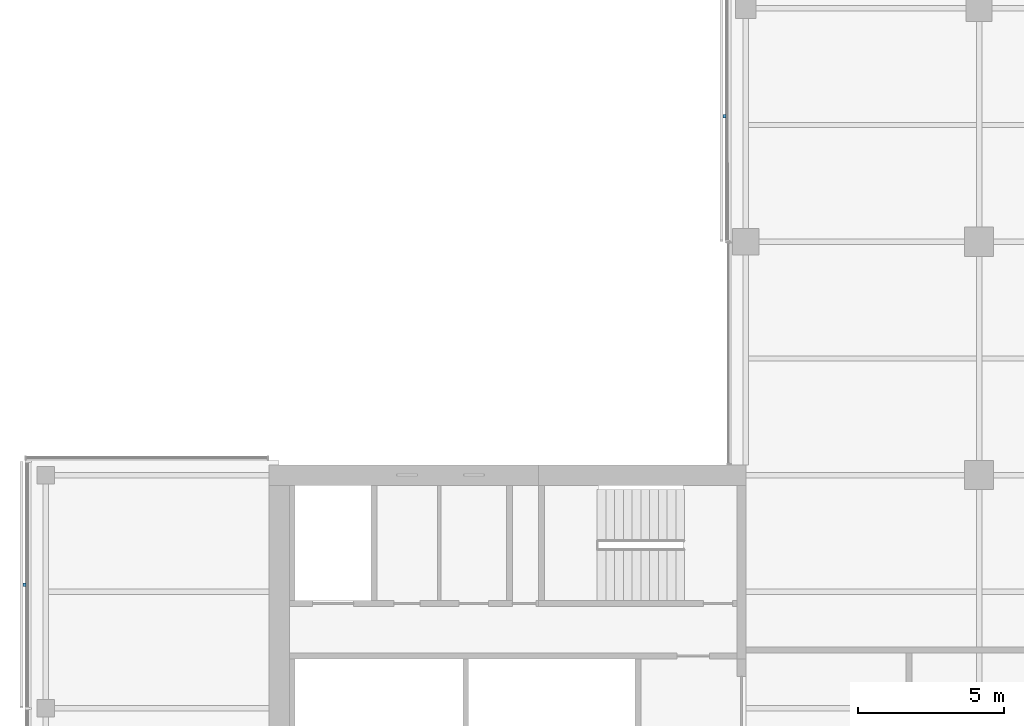
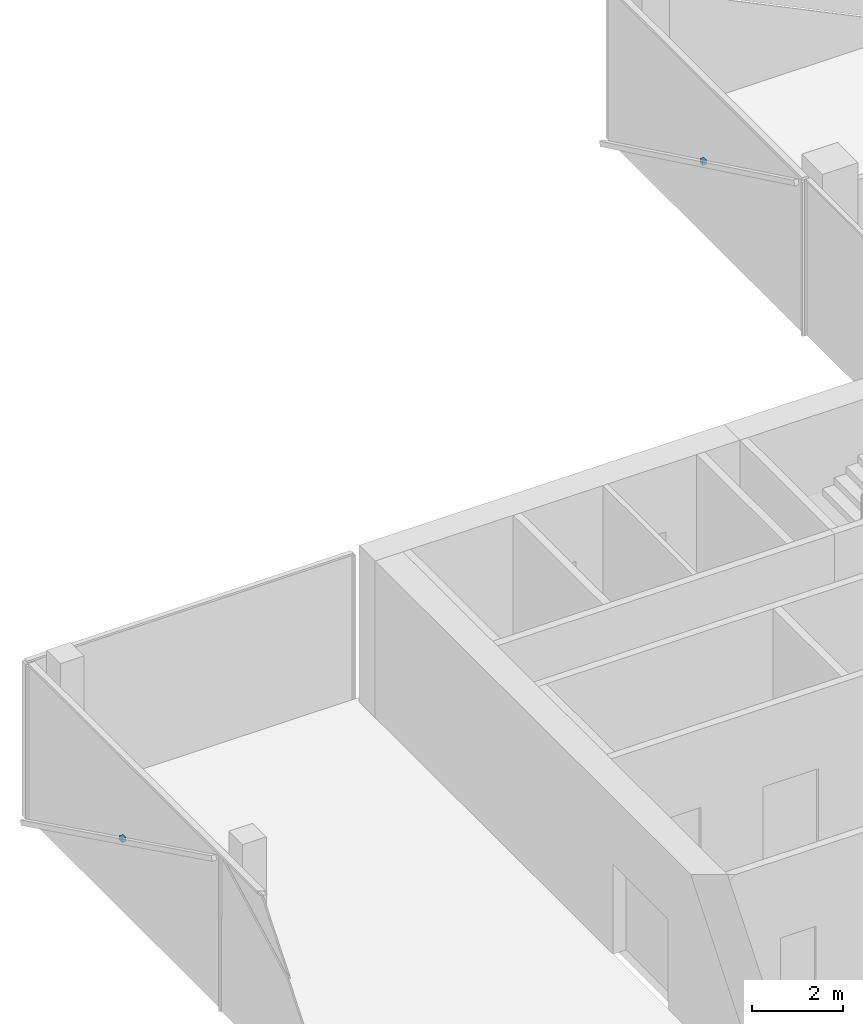
# One storey, part 19 of 22: 2 discrete accessories.
"""IFC4 building model written with IfcOpenShell, lengths in metres."""

from ifc_helpers import new_model, si_unit, direction, frame, origin, origin_2d, place, context, subcontext, project, spatial, rectangle, extrude, material, type_object, element, save


model = new_model("IFC4")

# Units and contexts
model_context = context("Model", 3, precision=1e-05, world=origin(), true_north=direction((0.0, 1.0)))
body_context = subcontext(model_context, "Body", "Model", "MODEL_VIEW")
ifc_project = project(units=[si_unit("LENGTHUNIT", "METRE"), si_unit("AREAUNIT", "SQUARE_METRE"), si_unit("VOLUMEUNIT", "CUBIC_METRE"), si_unit("PLANEANGLEUNIT", "RADIAN"), si_unit("MASSUNIT", "GRAM", prefix="KILO")], contexts=[model_context])

# Site, building, storey
site_placement = place(None, origin())
site = spatial("IfcSite", under=ifc_project, at=site_placement, CompositionType="ELEMENT")
building_placement = place(site_placement, origin())
building = spatial("IfcBuilding", under=site, at=building_placement, Name="Crosswind Convention Tower", CompositionType="ELEMENT")
storey_placement = place(building_placement, frame((0.0, 0.0, 125.300048828125)))
storey = spatial("IfcBuildingStorey", under=building, at=storey_placement, Name="L25", CompositionType="ELEMENT", Elevation=125.300048828125)

# Discrete accessories
ifc_material = material(Name="Stainless steel", Category="steel")
discrete_accessory_type = type_object("IfcDiscreteAccessoryType", Name="BAGUETTE BRACKET BK3", PredefinedType="BRACKET", material=ifc_material)
for number, where, z_axis, x_axis, name in (
    (1, (112.27392578125, 124.304931640625, 1.704833984375), (0.0, 0.0, 1.0), (0.0, -1.0, 0.0), "BK3 baguette bracket"),
    (2, (88.27392578125, 108.232421875, 1.704833984375), (0.0, 0.0, 1.0), (0.0, -1.0, 0.0), "BK3 baguette bracket"),
):
    element("IfcDiscreteAccessory", number, at=place(storey_placement, frame(where, z_axis=z_axis, x_axis=x_axis)), inside=storey, type_object=discrete_accessory_type, Name=name, PredefinedType="BRACKET", context=body_context, shape_type="SweptSolid", body=[
        extrude(rectangle(XDim=0.1201171875, YDim=0.10009765625, at=origin_2d()), origin(), (0.0, 0.0, 1.0), 0.1201171875),
    ])

save(model, "model.ifc")
